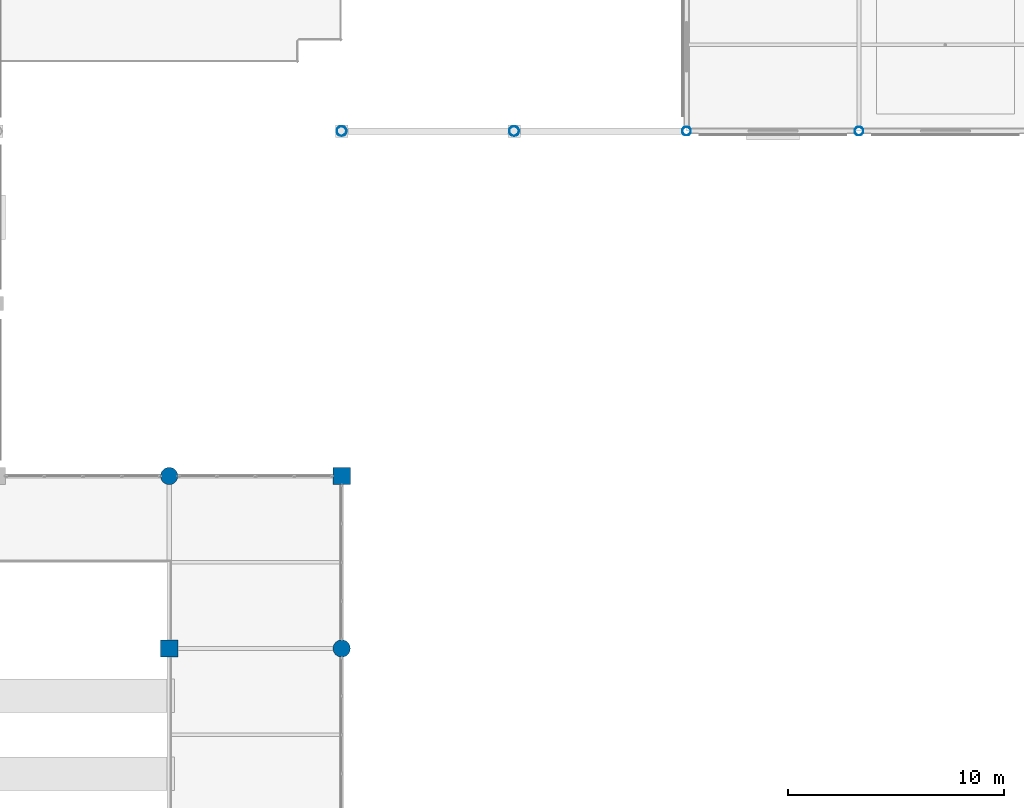
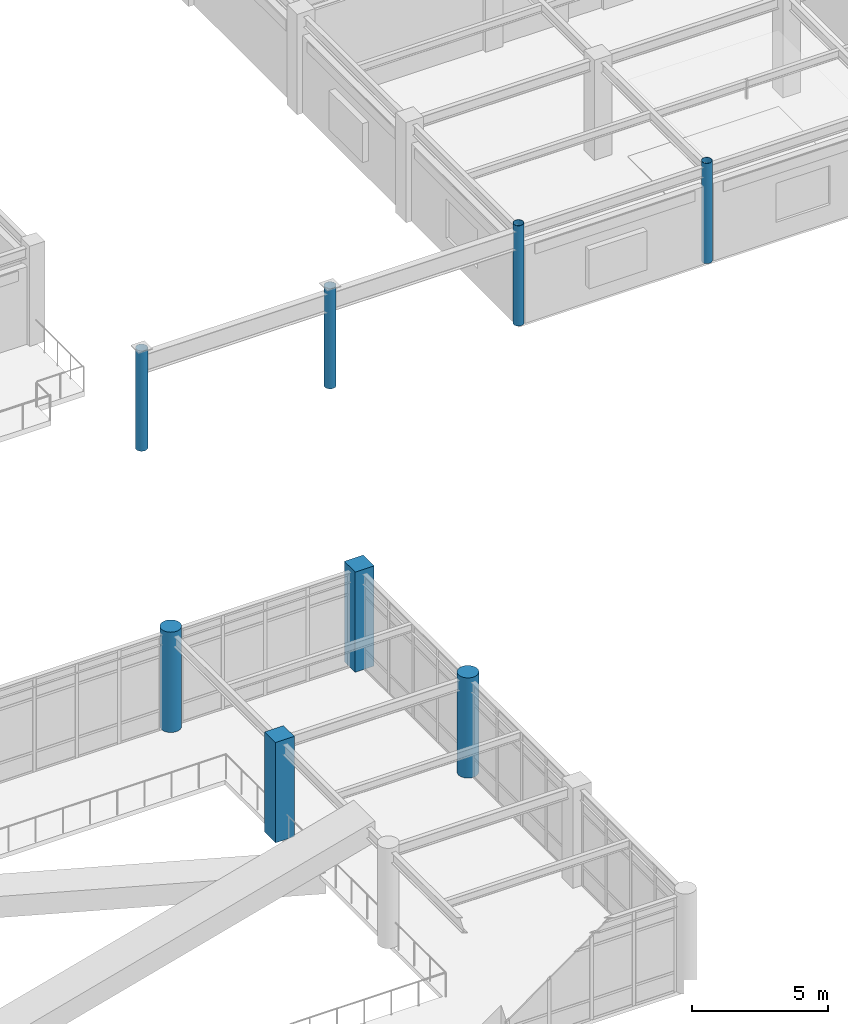
# One storey, part 11 of 78: 8 columns.
"""IFC4 building model written with IfcOpenShell, lengths in metres."""

from ifc_helpers import new_model, si_unit, direction, frame, origin, origin_2d, place, context, subcontext, project, spatial, rectangle, circle, hollow_circle, extrude, material, material_profile, profile_set, type_object, element, save


model = new_model("IFC4")

# Units and contexts
model_context = context("Model", 3, precision=1e-05, world=origin(), true_north=direction((0.0, 1.0)))
body_context = subcontext(model_context, "Body", "Model", "MODEL_VIEW")
ifc_project = project(units=[si_unit("LENGTHUNIT", "METRE"), si_unit("AREAUNIT", "SQUARE_METRE"), si_unit("VOLUMEUNIT", "CUBIC_METRE"), si_unit("PLANEANGLEUNIT", "RADIAN"), si_unit("MASSUNIT", "GRAM", prefix="KILO")], contexts=[model_context])

# Site, building, storey
site_placement = place(None, origin())
site = spatial("IfcSite", under=ifc_project, at=site_placement, CompositionType="ELEMENT")
building_placement = place(site_placement, origin())
building = spatial("IfcBuilding", under=site, at=building_placement, Name="Solmirada Galleria", CompositionType="ELEMENT")
storey_placement = place(building_placement, frame((0.0, 0.0, 23.89990234375)))
storey = spatial("IfcBuildingStorey", under=building, at=storey_placement, Name="L05", CompositionType="ELEMENT", Elevation=23.89990234375)

# Columns
ifc_material_1 = material(Name="Steel S355 / ASTM A500 Grade C", Category="steel")
ifc_material_profile_1 = material_profile(ifc_material_1, hollow_circle(Radius=0.202880859375, WallThickness=0.01171875, at=origin_2d()), Name="HSS16.000X0.500")
ifc_profile_set_1 = profile_set([ifc_material_profile_1], Name="Steel S355 / ASTM A500 Grade C")
column_type_1 = type_object("IfcColumnType", Name="COL-CHS16", PredefinedType="COLUMN", material=ifc_profile_set_1)
for number, where, z_axis, x_axis, name in (
    (1, (128.0, 88.0, 0.0), (0.0, 0.0, 1.0), (1.0, 0.0, 0.0), "Structural column L05-1065"),
    (2, (136.0, 88.0, 0.0), (0.0, 0.0, 1.0), (1.0, 0.0, 0.0), "Structural column L05-1166"),
):
    element("IfcColumn", number, at=place(storey_placement, frame(where, z_axis=z_axis, x_axis=x_axis)), inside=storey, type_object=column_type_1, Name=name, PredefinedType="COLUMN", context=body_context, shape_type="SweptSolid", body=[
        extrude(hollow_circle(Radius=0.202880859375, WallThickness=0.01171875, at=origin_2d()), origin(), (0.0, 0.0, 1.0), 4.5),
    ])
ifc_material_profile_2 = material_profile(ifc_material_1, hollow_circle(Radius=0.228515625, WallThickness=0.01171875, at=origin_2d()), Name="HSS18.000X0.500")
ifc_profile_set_2 = profile_set([ifc_material_profile_2], Name="Steel S355 / ASTM A500 Grade C")
column_type_2 = type_object("IfcColumnType", Name="COL-CHS18", PredefinedType="COLUMN", material=ifc_profile_set_2)
for number, where, z_axis, x_axis, name in (
    (3, (112.0, 88.0, 0.0), (0.0, 0.0, 1.0), (1.0, 0.0, 0.0), "Structural column L05-0891"),
    (4, (120.0, 88.0, 0.0), (0.0, 0.0, 1.0), (1.0, 0.0, 0.0), "Structural column L05-0982"),
):
    element("IfcColumn", number, at=place(storey_placement, frame(where, z_axis=z_axis, x_axis=x_axis)), inside=storey, type_object=column_type_2, Name=name, PredefinedType="COLUMN", context=body_context, shape_type="SweptSolid", body=[
        extrude(hollow_circle(Radius=0.228515625, WallThickness=0.01171875, at=origin_2d()), origin(), (0.0, 0.0, 1.0), 4.5),
    ])
ifc_material_2 = material(Name="Concrete C40/50", Category="concrete")
ifc_material_profile_3 = material_profile(ifc_material_2, circle(Radius=0.39990234375, at=origin_2d()), Name="RCCOL800")
ifc_profile_set_3 = profile_set([ifc_material_profile_3], Name="Concrete C40/50")
column_type_3 = type_object("IfcColumnType", Name="COL-CIR800", PredefinedType="COLUMN", material=ifc_profile_set_3)
for number, where, z_axis, x_axis, name in (
    (5, (104.0, 72.0, 0.0), (0.0, 0.0, 1.0), (1.0, 0.0, 0.0), "Structural column L05-0762"),
    (6, (112.0, 64.0, 0.0), (0.0, 0.0, 1.0), (1.0, 0.0, 0.0), "Structural column L05-0869"),
):
    element("IfcColumn", number, at=place(storey_placement, frame(where, z_axis=z_axis, x_axis=x_axis)), inside=storey, type_object=column_type_3, Name=name, PredefinedType="COLUMN", context=body_context, shape_type="SweptSolid", body=[
        extrude(circle(Radius=0.39990234375, at=origin_2d()), origin(), (0.0, 0.0, 1.0), 4.5),
    ])
ifc_material_profile_4 = material_profile(ifc_material_2, rectangle(XDim=0.800048828125, YDim=0.800048828125, at=origin_2d()), Name="RC800X800")
ifc_profile_set_4 = profile_set([ifc_material_profile_4], Name="Concrete C40/50")
column_type_4 = type_object("IfcColumnType", Name="COL-RC800", PredefinedType="COLUMN", material=ifc_profile_set_4)
for number, where, z_axis, x_axis, name in (
    (7, (104.0, 64.0, 0.0), (0.0, 0.0, 1.0), (1.0, 0.0, 0.0), "Structural column L05-0755"),
    (8, (112.0, 72.0, 0.0), (0.0, 0.0, 1.0), (1.0, 0.0, 0.0), "Structural column L05-0878"),
):
    element("IfcColumn", number, at=place(storey_placement, frame(where, z_axis=z_axis, x_axis=x_axis)), inside=storey, type_object=column_type_4, Name=name, PredefinedType="COLUMN", context=body_context, shape_type="SweptSolid", body=[
        extrude(rectangle(XDim=0.800048828125, YDim=0.800048828125, at=origin_2d()), origin(), (0.0, 0.0, 1.0), 4.5),
    ])

save(model, "model.ifc")
